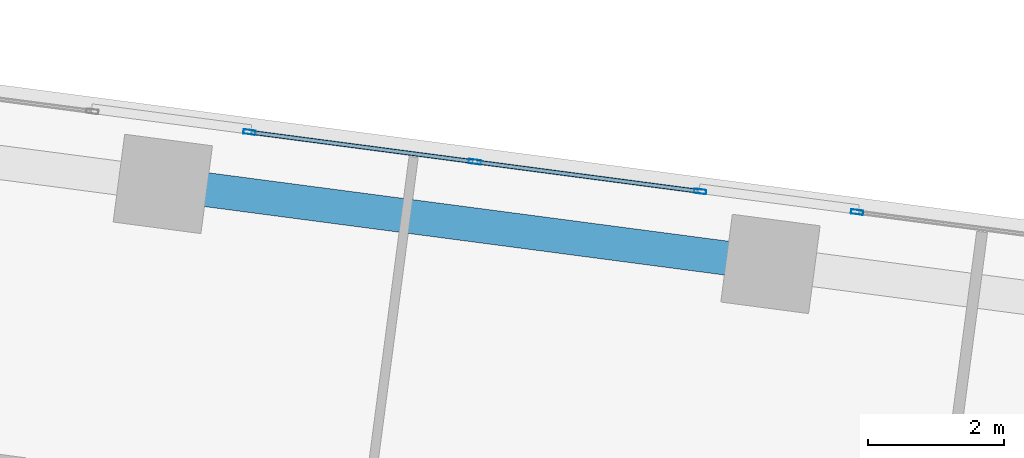
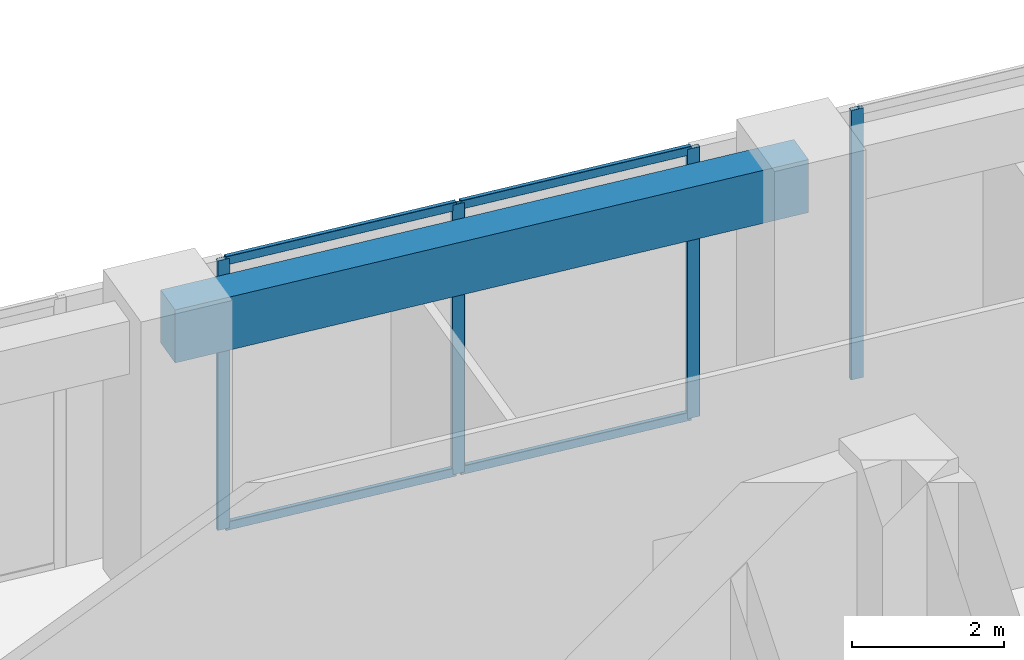
# One storey, part 16 of 24: 8 members, 1 beam, 2 elements without a shape of their own.
"""IFC4 building model written with IfcOpenShell, lengths in metres."""

from ifc_helpers import new_model, si_unit, direction, frame, origin, origin_2d, place, context, subcontext, project, spatial, rectangle, hollow_rectangle, extrude, source, transform, mapped, material, material_profile, profile_set, type_object, element, aggregate, save


model = new_model("IFC4")

# Units and contexts
model_context = context("Model", 3, precision=1e-05, world=origin(), true_north=direction((0.0, 1.0)))
body_context = subcontext(model_context, "Body", "Model", "MODEL_VIEW")
ifc_project = project(units=[si_unit("LENGTHUNIT", "METRE"), si_unit("AREAUNIT", "SQUARE_METRE"), si_unit("VOLUMEUNIT", "CUBIC_METRE"), si_unit("PLANEANGLEUNIT", "RADIAN"), si_unit("MASSUNIT", "GRAM", prefix="KILO")], contexts=[model_context])

# Site, building, storey
site_placement = place(None, origin())
site = spatial("IfcSite", under=ifc_project, at=site_placement, CompositionType="ELEMENT")
building_placement = place(site_placement, origin())
building = spatial("IfcBuilding", under=site, at=building_placement, Name="Torre Montelarca", CompositionType="ELEMENT")
storey_placement = place(building_placement, frame((0.0, 0.0, 61.60009765625)))
storey = spatial("IfcBuildingStorey", under=building, at=storey_placement, Name="L13", CompositionType="ELEMENT", Elevation=61.60009765625)

# Beam
ifc_material_1 = material(Name="Concrete C55/67", Category="concrete")
ifc_material_profile_1 = material_profile(ifc_material_1, rectangle(XDim=0.5, YDim=0.85009765625, at=origin_2d()), Name="RCB500X850", Category="concrete")
ifc_profile_set_1 = profile_set([ifc_material_profile_1], Name="Concrete C55/67")
beam_type = type_object("IfcBeamType", Name="BM-SP-RC850-EXT", PredefinedType="SPANDREL", material=ifc_profile_set_1)
shared_shape_1 = source(origin(), body_context, "Body", "SweptSolid", [
    extrude(rectangle(XDim=0.5, YDim=0.85009765625, at=origin_2d()), origin(), (0.0, 0.0, 1.0), 9.0),
])
beam_placement = place(storey_placement, frame((20.00732421875, 47.477294921875, 4.135009765625), z_axis=(0.991444043898, -0.130532401413, 0.0), x_axis=(0.130532401413, 0.991444043898, 0.0)))
element("IfcBeam", 1, at=beam_placement, inside=storey, type_object=beam_type, Name="L13 Grid Girder X 18.0-27.0 at Y=47.1", PredefinedType="SPANDREL", context=body_context, shape_type="MappedRepresentation", body=[
    mapped(shared_shape_1, transform((0.0, 0.0, 0.0), scale=1.0)),
])

# Curtain wall, members
ifc_material_2 = material(Name="Insulated low-E laminated glass", Category="glass")
curtain_wall_type = type_object("IfcCurtainWallType", Name="CW-SYS-Z1", PredefinedType="USERDEFINED", material=ifc_material_2)
curtain_wall_1_placement = place(storey_placement, origin())
curtain_wall_1 = element("IfcCurtainWall", 2, at=curtain_wall_1_placement, inside=storey, type_object=curtain_wall_type, Name="L13 Curtain Wall Run CW-T3-L13-E08-B3", ObjectType="UNITISED GLAZING", PredefinedType="USERDEFINED")
ifc_material_3 = material(Name="Anodised aluminium AA 6063-T6", Category="aluminium")
ifc_material_profile_2 = material_profile(ifc_material_3, hollow_rectangle(XDim=0.06494140625, YDim=0.139892578125, WallThickness=0.00390625, InnerFilletRadius=0.00390625, OuterFilletRadius=0.008056640625, at=origin_2d()), Name="ALU65X140X4", Category="aluminium")
ifc_profile_set_2 = profile_set([ifc_material_profile_2], Name="Anodised aluminium AA 6063-T6")
member_type_1 = type_object("IfcMemberType", Name="CWT-ALU140", PredefinedType="USERDEFINED", material=ifc_profile_set_2)
shared_shape_2 = source(origin(), body_context, "Body", "SweptSolid", [
    extrude(hollow_rectangle(XDim=0.06494140625, YDim=0.139892578125, WallThickness=0.00390625, InnerFilletRadius=0.00390625, OuterFilletRadius=0.008056640625, at=origin_2d()), origin(), (0.0, 0.0, 1.0), 3.272705078125),
])
member_1_placement = place(storey_placement, frame((24.556884765625, 47.806396484375, 0.032470703125), z_axis=(-0.991451248248, 0.130477669916, 0.0), x_axis=(-0.130477669916, -0.991451248248, 0.0)))
member_1 = element("IfcMember", 3, at=member_1_placement, type_object=member_type_1, Name="CW transom 2.1", ObjectType="TRANSOM", PredefinedType="USERDEFINED", context=body_context, shape_type="MappedRepresentation", body=[
    mapped(shared_shape_2, transform((0.0, 0.0, 0.0), scale=1.0)),
])
member_2_placement = place(storey_placement, frame((24.556884765625, 47.806396484375, 4.287353515625), z_axis=(-0.991451248248, 0.130477669916, 0.0), x_axis=(-0.130477669916, -0.991451248248, 0.0)))
member_2 = element("IfcMember", 4, at=member_2_placement, type_object=member_type_1, Name="CW transom 2.2", ObjectType="TRANSOM", PredefinedType="USERDEFINED", context=body_context, shape_type="MappedRepresentation", body=[
    mapped(shared_shape_2, transform((0.0, 0.0, 0.0), scale=1.0)),
])
shared_shape_3 = source(origin(), body_context, "Body", "SweptSolid", [
    extrude(hollow_rectangle(XDim=0.06494140625, YDim=0.139892578125, WallThickness=0.00390625, InnerFilletRadius=0.00390625, OuterFilletRadius=0.008056640625, at=origin_2d()), origin(), (0.0, 0.0, 1.0), 3.2724609375),
])
member_3_placement = place(storey_placement, frame((27.86572265625, 47.37060546875, 0.032470703125), z_axis=(-0.991440323438, 0.130560656635, 0.0), x_axis=(-0.130560656635, -0.991440323438, 0.0)))
member_3 = element("IfcMember", 5, at=member_3_placement, type_object=member_type_1, Name="CW transom 1.1", ObjectType="TRANSOM", PredefinedType="USERDEFINED", context=body_context, shape_type="MappedRepresentation", body=[
    mapped(shared_shape_3, transform((0.0, 0.0, 0.0), scale=1.0)),
])
member_4_placement = place(storey_placement, frame((27.86572265625, 47.37060546875, 4.287353515625), z_axis=(-0.991440323438, 0.130560656635, 0.0), x_axis=(-0.130560656635, -0.991440323438, 0.0)))
member_4 = element("IfcMember", 6, at=member_4_placement, type_object=member_type_1, Name="CW transom 1.2", ObjectType="TRANSOM", PredefinedType="USERDEFINED", context=body_context, shape_type="MappedRepresentation", body=[
    mapped(shared_shape_3, transform((0.0, 0.0, 0.0), scale=1.0)),
])

# Curtain wall, member
curtain_wall_2_placement = place(storey_placement, origin())
curtain_wall_2 = element("IfcCurtainWall", 7, at=curtain_wall_2_placement, inside=storey, type_object=curtain_wall_type, Name="L13 Curtain Wall Run CW-T3-L13-E08-B2", ObjectType="UNITISED GLAZING", PredefinedType="USERDEFINED")
ifc_material_profile_3 = material_profile(ifc_material_3, hollow_rectangle(XDim=0.06494140625, YDim=0.179931640625, WallThickness=0.00390625, InnerFilletRadius=0.00390625, OuterFilletRadius=0.008056640625, at=origin_2d()), Name="ALU65X180X4", Category="aluminium")
ifc_profile_set_3 = profile_set([ifc_material_profile_3], Name="Anodised aluminium AA 6063-T6")
member_type_2 = type_object("IfcMemberType", Name="CWM-ALU180", PredefinedType="MULLION", material=ifc_profile_set_3)
shared_shape_4 = source(origin(), body_context, "Body", "SweptSolid", [
    extrude(hollow_rectangle(XDim=0.06494140625, YDim=0.179931640625, WallThickness=0.00390625, InnerFilletRadius=0.00390625, OuterFilletRadius=0.008056640625, at=origin_2d()), origin(), (0.0, 0.0, 1.0), 4.31982421875),
])
member_5_placement = place(storey_placement, frame((30.203125, 47.06298828125, 0.0), z_axis=(0.0, 0.0, 1.0), x_axis=(-0.130532806022, -0.991443990628, 0.0)))
member_5 = element("IfcMember", 8, at=member_5_placement, type_object=member_type_2, Name="CW mullion 3", PredefinedType="MULLION", context=body_context, shape_type="MappedRepresentation", body=[
    mapped(shared_shape_4, transform((0.0, 0.0, 0.0), scale=1.0)),
])
aggregate(curtain_wall_2, [member_5])

# Member
member_6_placement = place(storey_placement, frame((27.89794921875, 47.366455078125, 0.0), z_axis=(0.0, 0.0, 1.0), x_axis=(-0.130518222125, -0.991445910624, 0.0)))
member_6 = element("IfcMember", 9, at=member_6_placement, type_object=member_type_2, Name="CW mullion 1", PredefinedType="MULLION", context=body_context, shape_type="MappedRepresentation", body=[
    mapped(shared_shape_4, transform((0.0, 0.0, 0.0), scale=1.0)),
])

member_7_placement = place(storey_placement, frame((24.589111328125, 47.802001953125, 0.0), z_axis=(0.0, 0.0, 1.0), x_axis=(-0.130518222125, -0.991445910624, 0.0)))
member_7 = element("IfcMember", 10, at=member_7_placement, type_object=member_type_2, Name="CW mullion 2", PredefinedType="MULLION", context=body_context, shape_type="MappedRepresentation", body=[
    mapped(shared_shape_4, transform((0.0, 0.0, 0.0), scale=1.0)),
])

member_8_placement = place(storey_placement, frame((21.280029296875, 48.237548828125, 0.0), z_axis=(0.0, 0.0, 1.0), x_axis=(-0.130518222125, -0.991445910624, 0.0)))
member_8 = element("IfcMember", 11, at=member_8_placement, type_object=member_type_2, Name="CW mullion 3", PredefinedType="MULLION", context=body_context, shape_type="MappedRepresentation", body=[
    mapped(shared_shape_4, transform((0.0, 0.0, 0.0), scale=1.0)),
])

aggregate(curtain_wall_1, [member_6, member_7, member_8, member_3, member_4, member_1, member_2])

save(model, "model.ifc")
